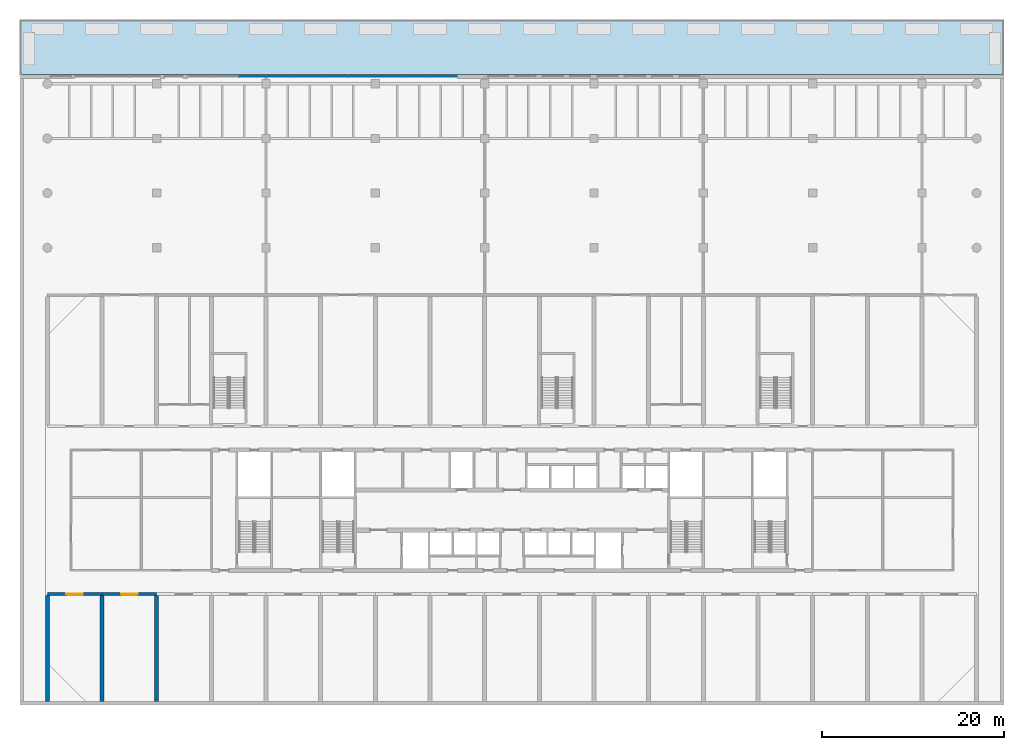
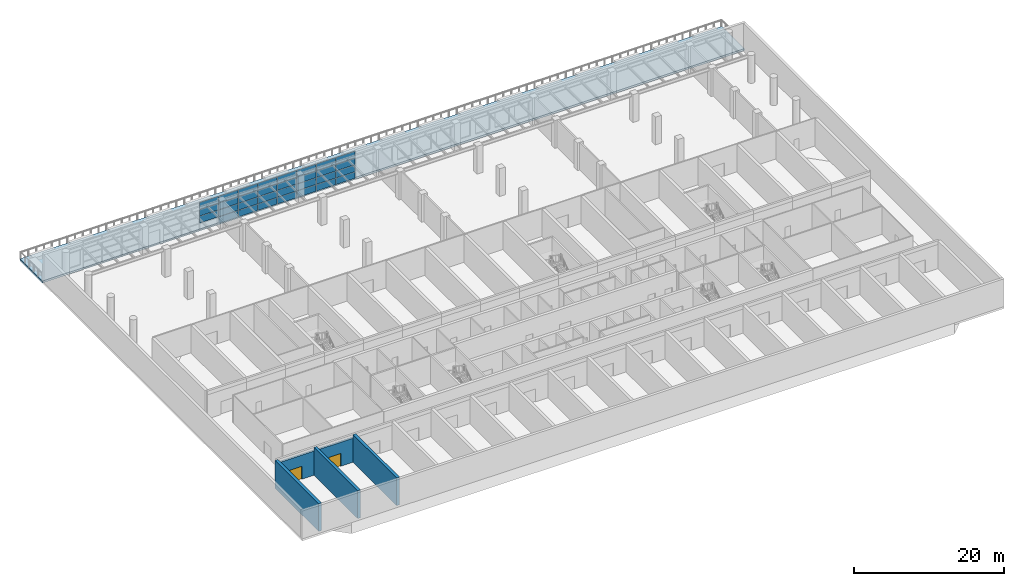
# One storey, part 5 of 20: 31 plates, 5 walls, 2 doors, 1 slab, 2 openings, 4 elements without a shape of their own.
"""IFC4 building model written with IfcOpenShell, lengths in metres."""

from ifc_helpers import new_model, si_unit, direction, frame, frame_2d, origin, origin_2d, place, context, subcontext, project, spatial, polyline, rectangle, outline, extrude, source, transform, mapped, material, layer, layer_set, type_object, element, fill, aggregate, save


model = new_model("IFC4")

# Units and contexts
model_context = context("Model", 3, precision=1e-05, world=origin(), true_north=direction((0.0, 1.0)))
body_context = subcontext(model_context, "Body", "Model", "MODEL_VIEW")
ifc_project = project(units=[si_unit("LENGTHUNIT", "METRE"), si_unit("AREAUNIT", "SQUARE_METRE"), si_unit("VOLUMEUNIT", "CUBIC_METRE"), si_unit("PLANEANGLEUNIT", "RADIAN"), si_unit("MASSUNIT", "GRAM", prefix="KILO")], contexts=[model_context])

# Site, building, storey
site_placement = place(None, origin())
site = spatial("IfcSite", under=ifc_project, at=site_placement, CompositionType="ELEMENT")
building_placement = place(site_placement, origin())
building = spatial("IfcBuilding", under=site, at=building_placement, Name="Poui Terraces", CompositionType="ELEMENT")
storey_placement = place(building_placement, frame((0.0, 0.0, 6.0)))
storey = spatial("IfcBuildingStorey", under=building, at=storey_placement, Name="L01", CompositionType="ELEMENT", Elevation=6.0)

# Curtain wall, plates
ifc_material_1 = material(Name="Clear glass", Category="glass")
ifc_layer_1 = layer(ifc_material_1, 0.199951171875)
ifc_layer_set_1 = layer_set([ifc_layer_1], Name="Clear glass")
curtain_wall_type = type_object("IfcCurtainWallType", Name="CURTAIN WALL CW-A HEALTH CENTRE FRONTAGE", PredefinedType="NOTDEFINED", material=ifc_layer_set_1)
curtain_wall_1_placement = place(storey_placement, origin())
curtain_wall_1 = element("IfcCurtainWall", 1, at=curtain_wall_1_placement, inside=storey, type_object=curtain_wall_type, Name="CW-A HEALTH CENTRE FRONTAGE", PredefinedType="NOTDEFINED")
ifc_layer_2 = layer(ifc_material_1, 0.031982421875)
ifc_layer_set_2 = layer_set([ifc_layer_2], Name="Clear glass")
plate_type = type_object("IfcPlateType", Name="CW-A GLASS PANEL 32", PredefinedType="CURTAIN_PANEL", material=ifc_layer_set_2)
plate_1_placement = place(storey_placement, frame((25.485107421875, 68.800048828125, 0.06005859375), z_axis=(0.0, 0.0, 1.0), x_axis=(-1.0, 0.0, 0.0)))
plate_1 = element("IfcPlate", 2, at=plate_1_placement, type_object=plate_type, Name="CW-A panel 1.1", PredefinedType="CURTAIN_PANEL", context=body_context, shape_type="SweptSolid", body=[
    extrude(rectangle(XDim=2.909912109375, YDim=0.031982421875, at=origin_2d()), origin(), (0.0, 0.0, 1.0), 1.0400390625),
])
plate_2_placement = place(storey_placement, frame((25.485107421875, 68.800048828125, 1.16015625), z_axis=(0.0, 0.0, 1.0), x_axis=(-1.0, 0.0, 0.0)))
plate_2 = element("IfcPlate", 3, at=plate_2_placement, type_object=plate_type, Name="CW-A panel 1.2", PredefinedType="CURTAIN_PANEL", context=body_context, shape_type="SweptSolid", body=[
    extrude(rectangle(XDim=2.909912109375, YDim=0.031982421875, at=origin_2d()), origin(), (0.0, 0.0, 1.0), 1.070068359375),
])
plate_3_placement = place(storey_placement, frame((25.485107421875, 68.800048828125, 2.2900390625), z_axis=(0.0, 0.0, 1.0), x_axis=(-1.0, 0.0, 0.0)))
plate_3 = element("IfcPlate", 4, at=plate_3_placement, type_object=plate_type, Name="CW-A panel 1.3", PredefinedType="CURTAIN_PANEL", context=body_context, shape_type="SweptSolid", body=[
    extrude(rectangle(XDim=2.909912109375, YDim=0.031982421875, at=origin_2d()), origin(), (0.0, 0.0, 1.0), 1.070068359375),
])
plate_4_placement = place(storey_placement, frame((25.485107421875, 68.800048828125, 3.419921875), z_axis=(0.0, 0.0, 1.0), x_axis=(-1.0, 0.0, 0.0)))
plate_4 = element("IfcPlate", 5, at=plate_4_placement, type_object=plate_type, Name="CW-A panel 1.4", PredefinedType="CURTAIN_PANEL", context=body_context, shape_type="SweptSolid", body=[
    extrude(rectangle(XDim=2.909912109375, YDim=0.031982421875, at=origin_2d()), origin(), (0.0, 0.0, 1.0), 1.0400390625),
])
plate_5_placement = place(storey_placement, frame((22.514892578125, 68.800048828125, 1.16015625), z_axis=(0.0, 0.0, 1.0), x_axis=(-1.0, 0.0, 0.0)))
plate_5 = element("IfcPlate", 6, at=plate_5_placement, type_object=plate_type, Name="CW-A panel 2.2", PredefinedType="CURTAIN_PANEL", context=body_context, shape_type="SweptSolid", body=[
    extrude(rectangle(XDim=2.909912109375, YDim=0.031982421875, at=origin_2d()), origin(), (0.0, 0.0, 1.0), 1.070068359375),
])
plate_6_placement = place(storey_placement, frame((22.514892578125, 68.800048828125, 2.2900390625), z_axis=(0.0, 0.0, 1.0), x_axis=(-1.0, 0.0, 0.0)))
plate_6 = element("IfcPlate", 7, at=plate_6_placement, type_object=plate_type, Name="CW-A panel 2.3", PredefinedType="CURTAIN_PANEL", context=body_context, shape_type="SweptSolid", body=[
    extrude(rectangle(XDim=2.909912109375, YDim=0.031982421875, at=origin_2d()), origin(), (0.0, 0.0, 1.0), 1.070068359375),
])
plate_7_placement = place(storey_placement, frame((22.514892578125, 68.800048828125, 3.419921875), z_axis=(0.0, 0.0, 1.0), x_axis=(-1.0, 0.0, 0.0)))
plate_7 = element("IfcPlate", 8, at=plate_7_placement, type_object=plate_type, Name="CW-A panel 2.4", PredefinedType="CURTAIN_PANEL", context=body_context, shape_type="SweptSolid", body=[
    extrude(rectangle(XDim=2.909912109375, YDim=0.031982421875, at=origin_2d()), origin(), (0.0, 0.0, 1.0), 1.0400390625),
])
aggregate(curtain_wall_1, [plate_1, plate_2, plate_3, plate_4, plate_5, plate_6, plate_7])

curtain_wall_2_placement = place(storey_placement, origin())
curtain_wall_2 = element("IfcCurtainWall", 9, at=curtain_wall_2_placement, inside=storey, type_object=curtain_wall_type, Name="CW-A HEALTH CENTRE FRONTAGE", PredefinedType="NOTDEFINED")
plate_8_placement = place(storey_placement, frame((31.485107421875, 68.800048828125, 0.06005859375), z_axis=(0.0, 0.0, 1.0), x_axis=(-1.0, 0.0, 0.0)))
plate_8 = element("IfcPlate", 10, at=plate_8_placement, type_object=plate_type, Name="CW-A panel 1.1", PredefinedType="CURTAIN_PANEL", context=body_context, shape_type="SweptSolid", body=[
    extrude(rectangle(XDim=2.909912109375, YDim=0.031982421875, at=origin_2d()), origin(), (0.0, 0.0, 1.0), 1.0400390625),
])
plate_9_placement = place(storey_placement, frame((31.485107421875, 68.800048828125, 1.16015625), z_axis=(0.0, 0.0, 1.0), x_axis=(-1.0, 0.0, 0.0)))
plate_9 = element("IfcPlate", 11, at=plate_9_placement, type_object=plate_type, Name="CW-A panel 1.2", PredefinedType="CURTAIN_PANEL", context=body_context, shape_type="SweptSolid", body=[
    extrude(rectangle(XDim=2.909912109375, YDim=0.031982421875, at=origin_2d()), origin(), (0.0, 0.0, 1.0), 1.070068359375),
])
plate_10_placement = place(storey_placement, frame((31.485107421875, 68.800048828125, 2.2900390625), z_axis=(0.0, 0.0, 1.0), x_axis=(-1.0, 0.0, 0.0)))
plate_10 = element("IfcPlate", 12, at=plate_10_placement, type_object=plate_type, Name="CW-A panel 1.3", PredefinedType="CURTAIN_PANEL", context=body_context, shape_type="SweptSolid", body=[
    extrude(rectangle(XDim=2.909912109375, YDim=0.031982421875, at=origin_2d()), origin(), (0.0, 0.0, 1.0), 1.070068359375),
])
plate_11_placement = place(storey_placement, frame((31.485107421875, 68.800048828125, 3.419921875), z_axis=(0.0, 0.0, 1.0), x_axis=(-1.0, 0.0, 0.0)))
plate_11 = element("IfcPlate", 13, at=plate_11_placement, type_object=plate_type, Name="CW-A panel 1.4", PredefinedType="CURTAIN_PANEL", context=body_context, shape_type="SweptSolid", body=[
    extrude(rectangle(XDim=2.909912109375, YDim=0.031982421875, at=origin_2d()), origin(), (0.0, 0.0, 1.0), 1.0400390625),
])
plate_12_placement = place(storey_placement, frame((28.514892578125, 68.800048828125, 0.06005859375), z_axis=(0.0, 0.0, 1.0), x_axis=(-1.0, 0.0, 0.0)))
plate_12 = element("IfcPlate", 14, at=plate_12_placement, type_object=plate_type, Name="CW-A panel 2.1", PredefinedType="CURTAIN_PANEL", context=body_context, shape_type="SweptSolid", body=[
    extrude(rectangle(XDim=2.909912109375, YDim=0.031982421875, at=origin_2d()), origin(), (0.0, 0.0, 1.0), 1.0400390625),
])
plate_13_placement = place(storey_placement, frame((28.514892578125, 68.800048828125, 1.16015625), z_axis=(0.0, 0.0, 1.0), x_axis=(-1.0, 0.0, 0.0)))
plate_13 = element("IfcPlate", 15, at=plate_13_placement, type_object=plate_type, Name="CW-A panel 2.2", PredefinedType="CURTAIN_PANEL", context=body_context, shape_type="SweptSolid", body=[
    extrude(rectangle(XDim=2.909912109375, YDim=0.031982421875, at=origin_2d()), origin(), (0.0, 0.0, 1.0), 1.070068359375),
])
plate_14_placement = place(storey_placement, frame((28.514892578125, 68.800048828125, 2.2900390625), z_axis=(0.0, 0.0, 1.0), x_axis=(-1.0, 0.0, 0.0)))
plate_14 = element("IfcPlate", 16, at=plate_14_placement, type_object=plate_type, Name="CW-A panel 2.3", PredefinedType="CURTAIN_PANEL", context=body_context, shape_type="SweptSolid", body=[
    extrude(rectangle(XDim=2.909912109375, YDim=0.031982421875, at=origin_2d()), origin(), (0.0, 0.0, 1.0), 1.070068359375),
])
plate_15_placement = place(storey_placement, frame((28.514892578125, 68.800048828125, 3.419921875), z_axis=(0.0, 0.0, 1.0), x_axis=(-1.0, 0.0, 0.0)))
plate_15 = element("IfcPlate", 17, at=plate_15_placement, type_object=plate_type, Name="CW-A panel 2.4", PredefinedType="CURTAIN_PANEL", context=body_context, shape_type="SweptSolid", body=[
    extrude(rectangle(XDim=2.909912109375, YDim=0.031982421875, at=origin_2d()), origin(), (0.0, 0.0, 1.0), 1.0400390625),
])
aggregate(curtain_wall_2, [plate_8, plate_9, plate_10, plate_11, plate_12, plate_13, plate_14, plate_15])

curtain_wall_3_placement = place(storey_placement, origin())
curtain_wall_3 = element("IfcCurtainWall", 18, at=curtain_wall_3_placement, inside=storey, type_object=curtain_wall_type, Name="CW-A HEALTH CENTRE FRONTAGE", PredefinedType="NOTDEFINED")
plate_16_placement = place(storey_placement, frame((37.485107421875, 68.800048828125, 0.06005859375), z_axis=(0.0, 0.0, 1.0), x_axis=(-1.0, 0.0, 0.0)))
plate_16 = element("IfcPlate", 19, at=plate_16_placement, type_object=plate_type, Name="CW-A panel 1.1", PredefinedType="CURTAIN_PANEL", context=body_context, shape_type="SweptSolid", body=[
    extrude(rectangle(XDim=2.909912109375, YDim=0.031982421875, at=origin_2d()), origin(), (0.0, 0.0, 1.0), 1.0400390625),
])
plate_17_placement = place(storey_placement, frame((37.485107421875, 68.800048828125, 1.16015625), z_axis=(0.0, 0.0, 1.0), x_axis=(-1.0, 0.0, 0.0)))
plate_17 = element("IfcPlate", 20, at=plate_17_placement, type_object=plate_type, Name="CW-A panel 1.2", PredefinedType="CURTAIN_PANEL", context=body_context, shape_type="SweptSolid", body=[
    extrude(rectangle(XDim=2.909912109375, YDim=0.031982421875, at=origin_2d()), origin(), (0.0, 0.0, 1.0), 1.070068359375),
])
plate_18_placement = place(storey_placement, frame((37.485107421875, 68.800048828125, 2.2900390625), z_axis=(0.0, 0.0, 1.0), x_axis=(-1.0, 0.0, 0.0)))
plate_18 = element("IfcPlate", 21, at=plate_18_placement, type_object=plate_type, Name="CW-A panel 1.3", PredefinedType="CURTAIN_PANEL", context=body_context, shape_type="SweptSolid", body=[
    extrude(rectangle(XDim=2.909912109375, YDim=0.031982421875, at=origin_2d()), origin(), (0.0, 0.0, 1.0), 1.070068359375),
])
plate_19_placement = place(storey_placement, frame((37.485107421875, 68.800048828125, 3.419921875), z_axis=(0.0, 0.0, 1.0), x_axis=(-1.0, 0.0, 0.0)))
plate_19 = element("IfcPlate", 22, at=plate_19_placement, type_object=plate_type, Name="CW-A panel 1.4", PredefinedType="CURTAIN_PANEL", context=body_context, shape_type="SweptSolid", body=[
    extrude(rectangle(XDim=2.909912109375, YDim=0.031982421875, at=origin_2d()), origin(), (0.0, 0.0, 1.0), 1.0400390625),
])
plate_20_placement = place(storey_placement, frame((34.514892578125, 68.800048828125, 0.06005859375), z_axis=(0.0, 0.0, 1.0), x_axis=(-1.0, 0.0, 0.0)))
plate_20 = element("IfcPlate", 23, at=plate_20_placement, type_object=plate_type, Name="CW-A panel 2.1", PredefinedType="CURTAIN_PANEL", context=body_context, shape_type="SweptSolid", body=[
    extrude(rectangle(XDim=2.909912109375, YDim=0.031982421875, at=origin_2d()), origin(), (0.0, 0.0, 1.0), 1.0400390625),
])
plate_21_placement = place(storey_placement, frame((34.514892578125, 68.800048828125, 1.16015625), z_axis=(0.0, 0.0, 1.0), x_axis=(-1.0, 0.0, 0.0)))
plate_21 = element("IfcPlate", 24, at=plate_21_placement, type_object=plate_type, Name="CW-A panel 2.2", PredefinedType="CURTAIN_PANEL", context=body_context, shape_type="SweptSolid", body=[
    extrude(rectangle(XDim=2.909912109375, YDim=0.031982421875, at=origin_2d()), origin(), (0.0, 0.0, 1.0), 1.070068359375),
])
plate_22_placement = place(storey_placement, frame((34.514892578125, 68.800048828125, 2.2900390625), z_axis=(0.0, 0.0, 1.0), x_axis=(-1.0, 0.0, 0.0)))
plate_22 = element("IfcPlate", 25, at=plate_22_placement, type_object=plate_type, Name="CW-A panel 2.3", PredefinedType="CURTAIN_PANEL", context=body_context, shape_type="SweptSolid", body=[
    extrude(rectangle(XDim=2.909912109375, YDim=0.031982421875, at=origin_2d()), origin(), (0.0, 0.0, 1.0), 1.070068359375),
])
plate_23_placement = place(storey_placement, frame((34.514892578125, 68.800048828125, 3.419921875), z_axis=(0.0, 0.0, 1.0), x_axis=(-1.0, 0.0, 0.0)))
plate_23 = element("IfcPlate", 26, at=plate_23_placement, type_object=plate_type, Name="CW-A panel 2.4", PredefinedType="CURTAIN_PANEL", context=body_context, shape_type="SweptSolid", body=[
    extrude(rectangle(XDim=2.909912109375, YDim=0.031982421875, at=origin_2d()), origin(), (0.0, 0.0, 1.0), 1.0400390625),
])
aggregate(curtain_wall_3, [plate_16, plate_17, plate_18, plate_19, plate_20, plate_21, plate_22, plate_23])

curtain_wall_4_placement = place(storey_placement, origin())
curtain_wall_4 = element("IfcCurtainWall", 27, at=curtain_wall_4_placement, inside=storey, type_object=curtain_wall_type, Name="CW-A HEALTH CENTRE FRONTAGE", PredefinedType="NOTDEFINED")
plate_24_placement = place(storey_placement, frame((43.485107421875, 68.800048828125, 0.06005859375), z_axis=(0.0, 0.0, 1.0), x_axis=(-1.0, 0.0, 0.0)))
plate_24 = element("IfcPlate", 28, at=plate_24_placement, type_object=plate_type, Name="CW-A panel 1.1", PredefinedType="CURTAIN_PANEL", context=body_context, shape_type="SweptSolid", body=[
    extrude(rectangle(XDim=2.909912109375, YDim=0.031982421875, at=origin_2d()), origin(), (0.0, 0.0, 1.0), 1.0400390625),
])
plate_25_placement = place(storey_placement, frame((43.485107421875, 68.800048828125, 1.16015625), z_axis=(0.0, 0.0, 1.0), x_axis=(-1.0, 0.0, 0.0)))
plate_25 = element("IfcPlate", 29, at=plate_25_placement, type_object=plate_type, Name="CW-A panel 1.2", PredefinedType="CURTAIN_PANEL", context=body_context, shape_type="SweptSolid", body=[
    extrude(rectangle(XDim=2.909912109375, YDim=0.031982421875, at=origin_2d()), origin(), (0.0, 0.0, 1.0), 1.070068359375),
])
plate_26_placement = place(storey_placement, frame((43.485107421875, 68.800048828125, 2.2900390625), z_axis=(0.0, 0.0, 1.0), x_axis=(-1.0, 0.0, 0.0)))
plate_26 = element("IfcPlate", 30, at=plate_26_placement, type_object=plate_type, Name="CW-A panel 1.3", PredefinedType="CURTAIN_PANEL", context=body_context, shape_type="SweptSolid", body=[
    extrude(rectangle(XDim=2.909912109375, YDim=0.031982421875, at=origin_2d()), origin(), (0.0, 0.0, 1.0), 1.070068359375),
])
plate_27_placement = place(storey_placement, frame((43.485107421875, 68.800048828125, 3.419921875), z_axis=(0.0, 0.0, 1.0), x_axis=(-1.0, 0.0, 0.0)))
plate_27 = element("IfcPlate", 31, at=plate_27_placement, type_object=plate_type, Name="CW-A panel 1.4", PredefinedType="CURTAIN_PANEL", context=body_context, shape_type="SweptSolid", body=[
    extrude(rectangle(XDim=2.909912109375, YDim=0.031982421875, at=origin_2d()), origin(), (0.0, 0.0, 1.0), 1.0400390625),
])
plate_28_placement = place(storey_placement, frame((40.514892578125, 68.800048828125, 0.06005859375), z_axis=(0.0, 0.0, 1.0), x_axis=(-1.0, 0.0, 0.0)))
plate_28 = element("IfcPlate", 32, at=plate_28_placement, type_object=plate_type, Name="CW-A panel 2.1", PredefinedType="CURTAIN_PANEL", context=body_context, shape_type="SweptSolid", body=[
    extrude(rectangle(XDim=2.909912109375, YDim=0.031982421875, at=origin_2d()), origin(), (0.0, 0.0, 1.0), 1.0400390625),
])
plate_29_placement = place(storey_placement, frame((40.514892578125, 68.800048828125, 1.16015625), z_axis=(0.0, 0.0, 1.0), x_axis=(-1.0, 0.0, 0.0)))
plate_29 = element("IfcPlate", 33, at=plate_29_placement, type_object=plate_type, Name="CW-A panel 2.2", PredefinedType="CURTAIN_PANEL", context=body_context, shape_type="SweptSolid", body=[
    extrude(rectangle(XDim=2.909912109375, YDim=0.031982421875, at=origin_2d()), origin(), (0.0, 0.0, 1.0), 1.070068359375),
])
plate_30_placement = place(storey_placement, frame((40.514892578125, 68.800048828125, 2.2900390625), z_axis=(0.0, 0.0, 1.0), x_axis=(-1.0, 0.0, 0.0)))
plate_30 = element("IfcPlate", 34, at=plate_30_placement, type_object=plate_type, Name="CW-A panel 2.3", PredefinedType="CURTAIN_PANEL", context=body_context, shape_type="SweptSolid", body=[
    extrude(rectangle(XDim=2.909912109375, YDim=0.031982421875, at=origin_2d()), origin(), (0.0, 0.0, 1.0), 1.070068359375),
])
plate_31_placement = place(storey_placement, frame((40.514892578125, 68.800048828125, 3.419921875), z_axis=(0.0, 0.0, 1.0), x_axis=(-1.0, 0.0, 0.0)))
plate_31 = element("IfcPlate", 35, at=plate_31_placement, type_object=plate_type, Name="CW-A panel 2.4", PredefinedType="CURTAIN_PANEL", context=body_context, shape_type="SweptSolid", body=[
    extrude(rectangle(XDim=2.909912109375, YDim=0.031982421875, at=origin_2d()), origin(), (0.0, 0.0, 1.0), 1.0400390625),
])
aggregate(curtain_wall_4, [plate_24, plate_25, plate_26, plate_27, plate_28, plate_29, plate_30, plate_31])

# Slab
ifc_material_2 = material(Name="Concrete 40 MPa", Category="concrete")
ifc_layer_3 = layer(ifc_material_2, 0.320068359375)
ifc_layer_set_3 = layer_set([ifc_layer_3], Name="Concrete 40 MPa")
slab_type = type_object("IfcSlabType", Name="TERRACE SLAB 320", PredefinedType="FLOOR", material=ifc_layer_set_3)
shared_shape = source(origin(), body_context, "Body", "SweptSolid", [
    extrude(outline(polyline([(0.0, 0.0), (0.0, -6.0), (108.0, -6.0), (108.0, 0.0), (0.0, 0.0)])), origin(), (0.0, 0.0, 1.0), 0.320068359375),
])
slab_placement = place(storey_placement, frame((-3.0, 75.0, -0.320068359375)))
element("IfcSlab", 36, at=slab_placement, inside=storey, type_object=slab_type, Name="TERRACE SLAB", PredefinedType="FLOOR", context=body_context, shape_type="MappedRepresentation", body=[
    mapped(shared_shape, transform((0.0, 0.0, 0.0))),
])

# Wall, opening, door
ifc_material_3 = material(Name="Concrete 80 MPa", Category="concrete")
ifc_layer_4 = layer(ifc_material_3, 0.300048828125)
ifc_layer_set_4 = layer_set([ifc_layer_4], Name="Concrete 80 MPa")
wall_type_1 = type_object("IfcWallType", Name="CORRIDOR WALL 300 80MPa", PredefinedType="SHEAR", material=ifc_layer_set_4)
wall_1_placement = place(storey_placement, frame((0.0, 12.0, 0.0), z_axis=(0.0, 0.0, 1.0), x_axis=(1.0, 0.0, 0.0)))
wall_1 = element("IfcWall", 37, at=wall_1_placement, inside=storey, type_object=wall_type_1, Name="CORRIDOR WALL LINE B BAY 1", PredefinedType="SHEAR", context=body_context, shape_type="SweptSolid", body=[
    extrude(rectangle(XDim=6.0, YDim=0.300048828125, at=frame_2d((3.0, 0.0))), origin(), (0.0, 0.0, 1.0), 3.919921875),
])
opening_1_placement = place(wall_1_placement, frame((2.10009765625, 0.0, 0.0)))
opening_1 = element("IfcOpeningElement", 38, at=opening_1_placement, cuts=wall_1, Name="Opening DD180", PredefinedType="OPENING", context=body_context, shape_type="SweptSolid", body=[
    extrude(rectangle(XDim=1.800048828125, YDim=2.10009765625, at=frame_2d((0.89990234375, 1.050048828125))), frame((0.0, 0.16015625, 0.0), z_axis=(0.0, -1.0, 0.0), x_axis=(1.0, 0.0, 0.0)), (0.0, 0.0, 1.0), 0.320068359375),
])
ifc_material_4 = material(Name="Steel fire door", Category="steel")
door_type = type_object("IfcDoorType", Name="DOUBLE INTERNAL DOOR 1800 X 2100", OperationType="DOUBLE_DOOR_SINGLE_SWING", PredefinedType="DOOR", material=ifc_material_4)
door_1_placement = place(opening_1_placement, origin())
door_1 = element("IfcDoor", 39, at=door_1_placement, inside=storey, type_object=door_type, Name="DOUBLE INTERNAL DOOR 042", OperationType="DOUBLE_DOOR_SINGLE_SWING", OverallHeight=2.10009765625, OverallWidth=1.800048828125, PredefinedType="DOOR", context=body_context, shape_type="SweptSolid", body=[
    extrude(rectangle(XDim=1.800048828125, YDim=2.10009765625, at=frame_2d((0.89990234375, 1.050048828125))), frame((0.0, 0.02490234375, 0.0), z_axis=(0.0, -1.0, 0.0), x_axis=(1.0, 0.0, 0.0)), (0.0, 0.0, 1.0), 0.050048828125),
])
fill(opening_1, door_1)

wall_2_placement = place(storey_placement, frame((6.0, 12.0, 0.0), z_axis=(0.0, 0.0, 1.0), x_axis=(1.0, 0.0, 0.0)))
wall_2 = element("IfcWall", 40, at=wall_2_placement, inside=storey, type_object=wall_type_1, Name="CORRIDOR WALL LINE B BAY 2", PredefinedType="SHEAR", context=body_context, shape_type="SweptSolid", body=[
    extrude(rectangle(XDim=6.0, YDim=0.300048828125, at=frame_2d((3.0, 0.0))), origin(), (0.0, 0.0, 1.0), 3.919921875),
])
opening_2_placement = place(wall_2_placement, frame((2.10009765625, 0.0, 0.0)))
opening_2 = element("IfcOpeningElement", 41, at=opening_2_placement, cuts=wall_2, Name="Opening DD180", PredefinedType="OPENING", context=body_context, shape_type="SweptSolid", body=[
    extrude(rectangle(XDim=1.800048828125, YDim=2.10009765625, at=frame_2d((0.89990234375, 1.050048828125))), frame((0.0, 0.16015625, 0.0), z_axis=(0.0, -1.0, 0.0), x_axis=(1.0, 0.0, 0.0)), (0.0, 0.0, 1.0), 0.320068359375),
])
door_2_placement = place(opening_2_placement, origin())
door_2 = element("IfcDoor", 42, at=door_2_placement, inside=storey, type_object=door_type, Name="DOUBLE INTERNAL DOOR 043", OperationType="DOUBLE_DOOR_SINGLE_SWING", OverallHeight=2.10009765625, OverallWidth=1.800048828125, PredefinedType="DOOR", context=body_context, shape_type="SweptSolid", body=[
    extrude(rectangle(XDim=1.800048828125, YDim=2.10009765625, at=frame_2d((0.89990234375, 1.050048828125))), frame((0.0, 0.02490234375, 0.0), z_axis=(0.0, -1.0, 0.0), x_axis=(1.0, 0.0, 0.0)), (0.0, 0.0, 1.0), 0.050048828125),
])
fill(opening_2, door_2)

# Walls
ifc_layer_5 = layer(ifc_material_3, 0.449951171875)
ifc_layer_set_5 = layer_set([ifc_layer_5], Name="Concrete 80 MPa")
wall_type_2 = type_object("IfcWallType", Name="CROSS WALL 450 80MPa", PredefinedType="SHEAR", material=ifc_layer_set_5)
for number, where, z_axis, x_axis, name in (
    (43, (0.0, 0.199951171875, 0.0), (0.0, 0.0, 1.0), (0.0, 1.0, 0.0), "CROSS WALL LINE 1 SOUTH"),
    (44, (6.0, 0.199951171875, 0.0), (0.0, 0.0, 1.0), (0.0, 1.0, 0.0), "CROSS WALL LINE 2 SOUTH"),
    (45, (12.0, 0.199951171875, 0.0), (0.0, 0.0, 1.0), (0.0, 1.0, 0.0), "CROSS WALL LINE 3 SOUTH"),
):
    element("IfcWall", number, at=place(storey_placement, frame(where, z_axis=z_axis, x_axis=x_axis)), inside=storey, type_object=wall_type_2, Name=name, PredefinedType="SHEAR", context=body_context, shape_type="SweptSolid", body=[
        extrude(rectangle(XDim=11.650146484375, YDim=0.449951171875, at=frame_2d((5.8251953125, 0.0))), origin(), (0.0, 0.0, 1.0), 4.52001953125),
    ])

save(model, "model.ifc")
